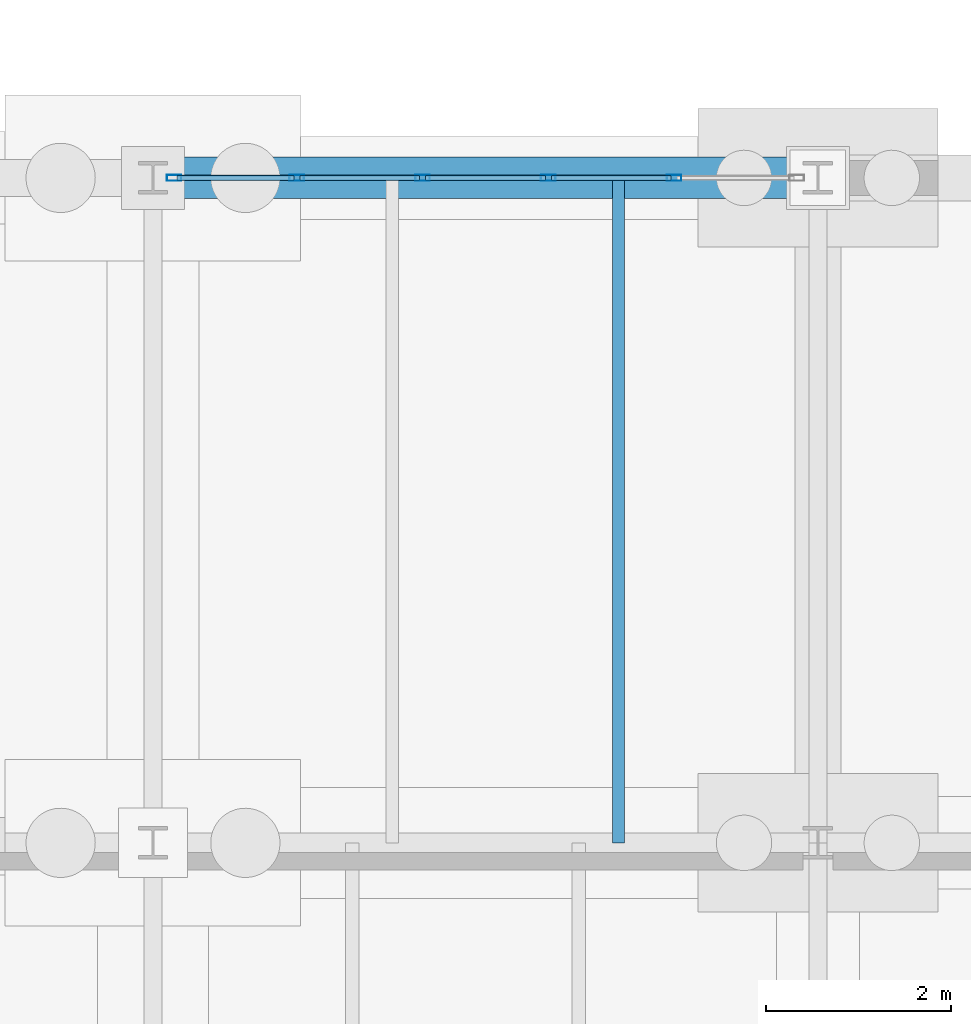
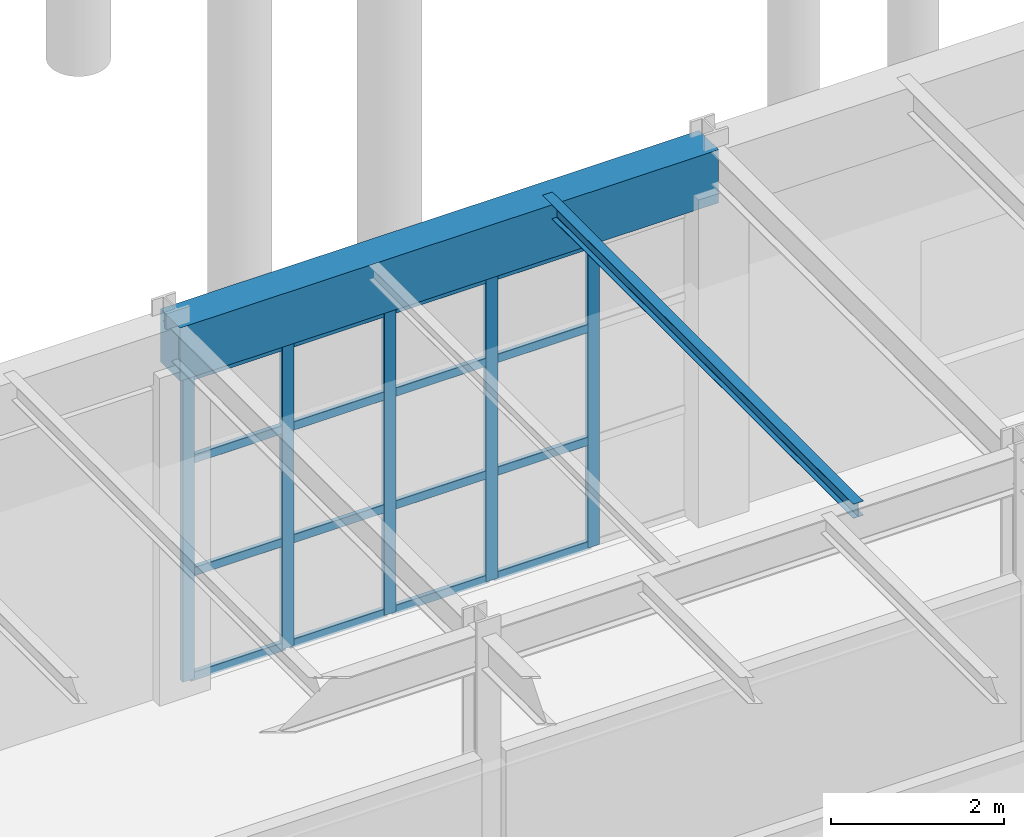
# One storey, part 157 of 293: 21 members, 2 beams, 1 element without a shape of its own.
"""IFC4 building model written with IfcOpenShell, lengths in metres."""

from ifc_helpers import new_model, si_unit, direction, frame, origin, origin_2d, place, context, subcontext, project, spatial, rectangle, hollow_rectangle, i_section, extrude, material, layer, layer_set, material_profile, profile_set, type_object, element, aggregate, save


model = new_model("IFC4")

# Units and contexts
model_context = context("Model", 3, precision=1e-05, world=origin(), true_north=direction((0.0, 1.0)))
body_context = subcontext(model_context, "Body", "Model", "MODEL_VIEW")
ifc_project = project(units=[si_unit("LENGTHUNIT", "METRE"), si_unit("AREAUNIT", "SQUARE_METRE"), si_unit("VOLUMEUNIT", "CUBIC_METRE"), si_unit("PLANEANGLEUNIT", "RADIAN"), si_unit("MASSUNIT", "GRAM", prefix="KILO")], contexts=[model_context])

# Site, building, storey
site_placement = place(None, origin())
site = spatial("IfcSite", under=ifc_project, at=site_placement, CompositionType="ELEMENT")
building_placement = place(site_placement, origin())
building = spatial("IfcBuilding", under=site, at=building_placement, Name="Kemerveld Promenade Tramway Depot", CompositionType="ELEMENT")
storey_placement = place(building_placement, origin())
storey = spatial("IfcBuildingStorey", under=building, at=storey_placement, Name="L00", CompositionType="ELEMENT", Elevation=0.0)

# Beams
ifc_material_1 = material(Name="Steel S355", Category="steel")
ifc_material_profile_1 = material_profile(ifc_material_1, i_section(OverallWidth=0.13330078125, OverallDepth=0.203125, WebThickness=0.005615234375, FlangeThickness=0.0078125, FilletRadius=0.007568359375, at=origin_2d()), Name="203x133x25 UB")
ifc_profile_set_1 = profile_set([ifc_material_profile_1], Name="Steel S355")
beam_type_1 = type_object("IfcBeamType", Name="BM-J03", PredefinedType="JOIST", material=ifc_profile_set_1)
beam_1_placement = place(storey_placement, frame((141.840087890625, 21.60009765625, 5.073486328125), z_axis=(0.0, 1.0, 0.0), x_axis=(-1.0, 0.0, 0.0)))
element("IfcBeam", 1, at=beam_1_placement, inside=storey, type_object=beam_type_1, Name="JST-L00-20-D-2", PredefinedType="JOIST", context=body_context, shape_type="SweptSolid", body=[
    extrude(i_section(OverallWidth=0.13330078125, OverallDepth=0.203125, WebThickness=0.005615234375, FlangeThickness=0.0078125, FilletRadius=0.007568359375, at=origin_2d()), origin(), (0.0, 0.0, 1.0), 7.199951171875),
])
ifc_material_2 = material(Name="Concrete C40/50", Category="concrete")
ifc_material_profile_2 = material_profile(ifc_material_2, rectangle(XDim=0.449951171875, YDim=0.75, at=origin_2d()), Name="RC-BM-450x750")
ifc_profile_set_2 = profile_set([ifc_material_profile_2], Name="Concrete C40/50")
beam_type_2 = type_object("IfcBeamType", Name="BM-RC6", PredefinedType="BEAM", material=ifc_profile_set_2)
beam_2_placement = place(storey_placement, frame((136.800048828125, 28.800048828125, 4.800048828125), z_axis=(1.0, 0.0, 0.0), x_axis=(0.0, 1.0, 0.0)))
element("IfcBeam", 2, at=beam_2_placement, inside=storey, type_object=beam_type_2, Name="BMX-L00-20-21-E", PredefinedType="BEAM", context=body_context, shape_type="SweptSolid", body=[
    extrude(rectangle(XDim=0.449951171875, YDim=0.75, at=origin_2d()), origin(), (0.0, 0.0, 1.0), 7.199951171875),
])

# Curtain wall, members
ifc_material_3 = material(Name="Bronze anodised aluminium and solar glass", Category="aluminium")
ifc_layer = layer(ifc_material_3, 0.159912109375)
ifc_layer_set = layer_set([ifc_layer], Name="CW-SYS-01")
curtain_wall_type = type_object("IfcCurtainWallType", Name="CW-SYS-01", PredefinedType="USERDEFINED", material=ifc_layer_set)
curtain_wall_placement = place(storey_placement, origin())
curtain_wall = element("IfcCurtainWall", 3, at=curtain_wall_placement, inside=storey, type_object=curtain_wall_type, Name="CW-L00-V4N-12", ObjectType="GLAZED_CURTAIN_WALL", PredefinedType="USERDEFINED")
ifc_material_4 = material(Name="Bronze anodised aluminium", Category="aluminium")
ifc_material_profile_3 = material_profile(ifc_material_4, hollow_rectangle(XDim=0.06494140625, YDim=0.159912109375, WallThickness=0.00390625, InnerFilletRadius=0.001953125, OuterFilletRadius=0.00390625, at=origin_2d()), Name="CW-MUL-160x65")
ifc_profile_set_3 = profile_set([ifc_material_profile_3], Name="Bronze anodised aluminium")
member_type_1 = type_object("IfcMemberType", Name="CW-MUL-A", PredefinedType="MULLION", material=ifc_profile_set_3)
member_1_placement = place(storey_placement, frame((137.02880859375, 28.800048828125, 0.0), z_axis=(0.0, 0.0, 1.0), x_axis=(0.0, 1.0, 0.0)))
member_1 = element("IfcMember", 4, at=member_1_placement, type_object=member_type_1, Name="CW01 mullion 1", PredefinedType="MULLION", context=body_context, shape_type="SweptSolid", body=[
    extrude(hollow_rectangle(XDim=0.06494140625, YDim=0.159912109375, WallThickness=0.00390625, InnerFilletRadius=0.001953125, OuterFilletRadius=0.00390625, at=origin_2d()), origin(), (0.0, 0.0, 1.0), 4.304931640625),
])
member_2_placement = place(storey_placement, frame((138.35791015625, 28.800048828125, 0.0), z_axis=(0.0, 0.0, 1.0), x_axis=(0.0, 1.0, 0.0)))
member_2 = element("IfcMember", 5, at=member_2_placement, type_object=member_type_1, Name="CW01 mullion 2", PredefinedType="MULLION", context=body_context, shape_type="SweptSolid", body=[
    extrude(hollow_rectangle(XDim=0.06494140625, YDim=0.159912109375, WallThickness=0.00390625, InnerFilletRadius=0.001953125, OuterFilletRadius=0.00390625, at=origin_2d()), origin(), (0.0, 0.0, 1.0), 4.304931640625),
])
member_3_placement = place(storey_placement, frame((139.71923828125, 28.800048828125, 0.0), z_axis=(0.0, 0.0, 1.0), x_axis=(0.0, 1.0, 0.0)))
member_3 = element("IfcMember", 6, at=member_3_placement, type_object=member_type_1, Name="CW01 mullion 3", PredefinedType="MULLION", context=body_context, shape_type="SweptSolid", body=[
    extrude(hollow_rectangle(XDim=0.06494140625, YDim=0.159912109375, WallThickness=0.00390625, InnerFilletRadius=0.001953125, OuterFilletRadius=0.00390625, at=origin_2d()), origin(), (0.0, 0.0, 1.0), 4.304931640625),
])
member_4_placement = place(storey_placement, frame((141.080810546875, 28.800048828125, 0.0), z_axis=(0.0, 0.0, 1.0), x_axis=(0.0, 1.0, 0.0)))
member_4 = element("IfcMember", 7, at=member_4_placement, type_object=member_type_1, Name="CW01 mullion 4", PredefinedType="MULLION", context=body_context, shape_type="SweptSolid", body=[
    extrude(hollow_rectangle(XDim=0.06494140625, YDim=0.159912109375, WallThickness=0.00390625, InnerFilletRadius=0.001953125, OuterFilletRadius=0.00390625, at=origin_2d()), origin(), (0.0, 0.0, 1.0), 4.304931640625),
])
member_5_placement = place(storey_placement, frame((142.4423828125, 28.800048828125, 0.0), z_axis=(0.0, 0.0, 1.0), x_axis=(0.0, 1.0, 0.0)))
member_5 = element("IfcMember", 8, at=member_5_placement, type_object=member_type_1, Name="CW01 mullion 5", PredefinedType="MULLION", context=body_context, shape_type="SweptSolid", body=[
    extrude(hollow_rectangle(XDim=0.06494140625, YDim=0.159912109375, WallThickness=0.00390625, InnerFilletRadius=0.001953125, OuterFilletRadius=0.00390625, at=origin_2d()), origin(), (0.0, 0.0, 1.0), 4.304931640625),
])
ifc_material_profile_4 = material_profile(ifc_material_4, hollow_rectangle(XDim=0.06005859375, YDim=0.1201171875, WallThickness=0.00390625, InnerFilletRadius=0.001953125, OuterFilletRadius=0.00390625, at=origin_2d()), Name="CW-TRN-120x60")
ifc_profile_set_4 = profile_set([ifc_material_profile_4], Name="Bronze anodised aluminium")
member_type_2 = type_object("IfcMemberType", Name="CW-TRN-A", PredefinedType="USERDEFINED", material=ifc_profile_set_4)
member_6_placement = place(storey_placement, frame((137.061279296875, 28.800048828125, 0.030029296875), z_axis=(1.0, 0.0, 0.0), x_axis=(0.0, 1.0, 0.0)))
member_6 = element("IfcMember", 9, at=member_6_placement, type_object=member_type_2, Name="CW01 transom 1.1", ObjectType="TRANSOM", PredefinedType="USERDEFINED", context=body_context, shape_type="SweptSolid", body=[
    extrude(hollow_rectangle(XDim=0.06005859375, YDim=0.1201171875, WallThickness=0.00390625, InnerFilletRadius=0.001953125, OuterFilletRadius=0.00390625, at=origin_2d()), origin(), (0.0, 0.0, 1.0), 1.263916015625),
])
member_7_placement = place(storey_placement, frame((137.061279296875, 28.800048828125, 1.507080078125), z_axis=(1.0, 0.0, 0.0), x_axis=(0.0, 1.0, 0.0)))
member_7 = element("IfcMember", 10, at=member_7_placement, type_object=member_type_2, Name="CW01 transom 1.2", ObjectType="TRANSOM", PredefinedType="USERDEFINED", context=body_context, shape_type="SweptSolid", body=[
    extrude(hollow_rectangle(XDim=0.06005859375, YDim=0.1201171875, WallThickness=0.00390625, InnerFilletRadius=0.001953125, OuterFilletRadius=0.00390625, at=origin_2d()), origin(), (0.0, 0.0, 1.0), 1.263916015625),
])
member_8_placement = place(storey_placement, frame((137.061279296875, 28.800048828125, 3.10009765625), z_axis=(1.0, 0.0, 0.0), x_axis=(0.0, 1.0, 0.0)))
member_8 = element("IfcMember", 11, at=member_8_placement, type_object=member_type_2, Name="CW01 transom 1.3", ObjectType="TRANSOM", PredefinedType="USERDEFINED", context=body_context, shape_type="SweptSolid", body=[
    extrude(hollow_rectangle(XDim=0.06005859375, YDim=0.1201171875, WallThickness=0.00390625, InnerFilletRadius=0.001953125, OuterFilletRadius=0.00390625, at=origin_2d()), origin(), (0.0, 0.0, 1.0), 1.263916015625),
])
member_9_placement = place(storey_placement, frame((137.061279296875, 28.800048828125, 4.27490234375), z_axis=(1.0, 0.0, 0.0), x_axis=(0.0, 1.0, 0.0)))
member_9 = element("IfcMember", 12, at=member_9_placement, type_object=member_type_2, Name="CW01 transom 1.4", ObjectType="TRANSOM", PredefinedType="USERDEFINED", context=body_context, shape_type="SweptSolid", body=[
    extrude(hollow_rectangle(XDim=0.06005859375, YDim=0.1201171875, WallThickness=0.00390625, InnerFilletRadius=0.001953125, OuterFilletRadius=0.00390625, at=origin_2d()), origin(), (0.0, 0.0, 1.0), 1.263916015625),
])
member_10_placement = place(storey_placement, frame((138.390380859375, 28.800048828125, 0.030029296875), z_axis=(1.0, 0.0, 0.0), x_axis=(0.0, 1.0, 0.0)))
member_10 = element("IfcMember", 13, at=member_10_placement, type_object=member_type_2, Name="CW01 transom 2.1", ObjectType="TRANSOM", PredefinedType="USERDEFINED", context=body_context, shape_type="SweptSolid", body=[
    extrude(hollow_rectangle(XDim=0.06005859375, YDim=0.1201171875, WallThickness=0.00390625, InnerFilletRadius=0.001953125, OuterFilletRadius=0.00390625, at=origin_2d()), origin(), (0.0, 0.0, 1.0), 1.29638671875),
])
member_11_placement = place(storey_placement, frame((138.390380859375, 28.800048828125, 1.507080078125), z_axis=(1.0, 0.0, 0.0), x_axis=(0.0, 1.0, 0.0)))
member_11 = element("IfcMember", 14, at=member_11_placement, type_object=member_type_2, Name="CW01 transom 2.2", ObjectType="TRANSOM", PredefinedType="USERDEFINED", context=body_context, shape_type="SweptSolid", body=[
    extrude(hollow_rectangle(XDim=0.06005859375, YDim=0.1201171875, WallThickness=0.00390625, InnerFilletRadius=0.001953125, OuterFilletRadius=0.00390625, at=origin_2d()), origin(), (0.0, 0.0, 1.0), 1.29638671875),
])
member_12_placement = place(storey_placement, frame((138.390380859375, 28.800048828125, 3.10009765625), z_axis=(1.0, 0.0, 0.0), x_axis=(0.0, 1.0, 0.0)))
member_12 = element("IfcMember", 15, at=member_12_placement, type_object=member_type_2, Name="CW01 transom 2.3", ObjectType="TRANSOM", PredefinedType="USERDEFINED", context=body_context, shape_type="SweptSolid", body=[
    extrude(hollow_rectangle(XDim=0.06005859375, YDim=0.1201171875, WallThickness=0.00390625, InnerFilletRadius=0.001953125, OuterFilletRadius=0.00390625, at=origin_2d()), origin(), (0.0, 0.0, 1.0), 1.29638671875),
])
member_13_placement = place(storey_placement, frame((138.390380859375, 28.800048828125, 4.27490234375), z_axis=(1.0, 0.0, 0.0), x_axis=(0.0, 1.0, 0.0)))
member_13 = element("IfcMember", 16, at=member_13_placement, type_object=member_type_2, Name="CW01 transom 2.4", ObjectType="TRANSOM", PredefinedType="USERDEFINED", context=body_context, shape_type="SweptSolid", body=[
    extrude(hollow_rectangle(XDim=0.06005859375, YDim=0.1201171875, WallThickness=0.00390625, InnerFilletRadius=0.001953125, OuterFilletRadius=0.00390625, at=origin_2d()), origin(), (0.0, 0.0, 1.0), 1.29638671875),
])
member_14_placement = place(storey_placement, frame((139.751708984375, 28.800048828125, 0.030029296875), z_axis=(1.0, 0.0, 0.0), x_axis=(0.0, 1.0, 0.0)))
member_14 = element("IfcMember", 17, at=member_14_placement, type_object=member_type_2, Name="CW01 transom 3.1", ObjectType="TRANSOM", PredefinedType="USERDEFINED", context=body_context, shape_type="SweptSolid", body=[
    extrude(hollow_rectangle(XDim=0.06005859375, YDim=0.1201171875, WallThickness=0.00390625, InnerFilletRadius=0.001953125, OuterFilletRadius=0.00390625, at=origin_2d()), origin(), (0.0, 0.0, 1.0), 1.296630859375),
])
member_15_placement = place(storey_placement, frame((139.751708984375, 28.800048828125, 1.507080078125), z_axis=(1.0, 0.0, 0.0), x_axis=(0.0, 1.0, 0.0)))
member_15 = element("IfcMember", 18, at=member_15_placement, type_object=member_type_2, Name="CW01 transom 3.2", ObjectType="TRANSOM", PredefinedType="USERDEFINED", context=body_context, shape_type="SweptSolid", body=[
    extrude(hollow_rectangle(XDim=0.06005859375, YDim=0.1201171875, WallThickness=0.00390625, InnerFilletRadius=0.001953125, OuterFilletRadius=0.00390625, at=origin_2d()), origin(), (0.0, 0.0, 1.0), 1.296630859375),
])
member_16_placement = place(storey_placement, frame((139.751708984375, 28.800048828125, 3.10009765625), z_axis=(1.0, 0.0, 0.0), x_axis=(0.0, 1.0, 0.0)))
member_16 = element("IfcMember", 19, at=member_16_placement, type_object=member_type_2, Name="CW01 transom 3.3", ObjectType="TRANSOM", PredefinedType="USERDEFINED", context=body_context, shape_type="SweptSolid", body=[
    extrude(hollow_rectangle(XDim=0.06005859375, YDim=0.1201171875, WallThickness=0.00390625, InnerFilletRadius=0.001953125, OuterFilletRadius=0.00390625, at=origin_2d()), origin(), (0.0, 0.0, 1.0), 1.296630859375),
])
member_17_placement = place(storey_placement, frame((139.751708984375, 28.800048828125, 4.27490234375), z_axis=(1.0, 0.0, 0.0), x_axis=(0.0, 1.0, 0.0)))
member_17 = element("IfcMember", 20, at=member_17_placement, type_object=member_type_2, Name="CW01 transom 3.4", ObjectType="TRANSOM", PredefinedType="USERDEFINED", context=body_context, shape_type="SweptSolid", body=[
    extrude(hollow_rectangle(XDim=0.06005859375, YDim=0.1201171875, WallThickness=0.00390625, InnerFilletRadius=0.001953125, OuterFilletRadius=0.00390625, at=origin_2d()), origin(), (0.0, 0.0, 1.0), 1.296630859375),
])
member_18_placement = place(storey_placement, frame((141.11328125, 28.800048828125, 0.030029296875), z_axis=(1.0, 0.0, 0.0), x_axis=(0.0, 1.0, 0.0)))
member_18 = element("IfcMember", 21, at=member_18_placement, type_object=member_type_2, Name="CW01 transom 4.1", ObjectType="TRANSOM", PredefinedType="USERDEFINED", context=body_context, shape_type="SweptSolid", body=[
    extrude(hollow_rectangle(XDim=0.06005859375, YDim=0.1201171875, WallThickness=0.00390625, InnerFilletRadius=0.001953125, OuterFilletRadius=0.00390625, at=origin_2d()), origin(), (0.0, 0.0, 1.0), 1.296630859375),
])
member_19_placement = place(storey_placement, frame((141.11328125, 28.800048828125, 1.507080078125), z_axis=(1.0, 0.0, 0.0), x_axis=(0.0, 1.0, 0.0)))
member_19 = element("IfcMember", 22, at=member_19_placement, type_object=member_type_2, Name="CW01 transom 4.2", ObjectType="TRANSOM", PredefinedType="USERDEFINED", context=body_context, shape_type="SweptSolid", body=[
    extrude(hollow_rectangle(XDim=0.06005859375, YDim=0.1201171875, WallThickness=0.00390625, InnerFilletRadius=0.001953125, OuterFilletRadius=0.00390625, at=origin_2d()), origin(), (0.0, 0.0, 1.0), 1.296630859375),
])
member_20_placement = place(storey_placement, frame((141.11328125, 28.800048828125, 3.10009765625), z_axis=(1.0, 0.0, 0.0), x_axis=(0.0, 1.0, 0.0)))
member_20 = element("IfcMember", 23, at=member_20_placement, type_object=member_type_2, Name="CW01 transom 4.3", ObjectType="TRANSOM", PredefinedType="USERDEFINED", context=body_context, shape_type="SweptSolid", body=[
    extrude(hollow_rectangle(XDim=0.06005859375, YDim=0.1201171875, WallThickness=0.00390625, InnerFilletRadius=0.001953125, OuterFilletRadius=0.00390625, at=origin_2d()), origin(), (0.0, 0.0, 1.0), 1.296630859375),
])
member_21_placement = place(storey_placement, frame((141.11328125, 28.800048828125, 4.27490234375), z_axis=(1.0, 0.0, 0.0), x_axis=(0.0, 1.0, 0.0)))
member_21 = element("IfcMember", 24, at=member_21_placement, type_object=member_type_2, Name="CW01 transom 4.4", ObjectType="TRANSOM", PredefinedType="USERDEFINED", context=body_context, shape_type="SweptSolid", body=[
    extrude(hollow_rectangle(XDim=0.06005859375, YDim=0.1201171875, WallThickness=0.00390625, InnerFilletRadius=0.001953125, OuterFilletRadius=0.00390625, at=origin_2d()), origin(), (0.0, 0.0, 1.0), 1.296630859375),
])
aggregate(curtain_wall, [member_1, member_2, member_3, member_4, member_5, member_6, member_7, member_8, member_9, member_10, member_11, member_12, member_13, member_14, member_15, member_16, member_17, member_18, member_19, member_20, member_21])

save(model, "model.ifc")
